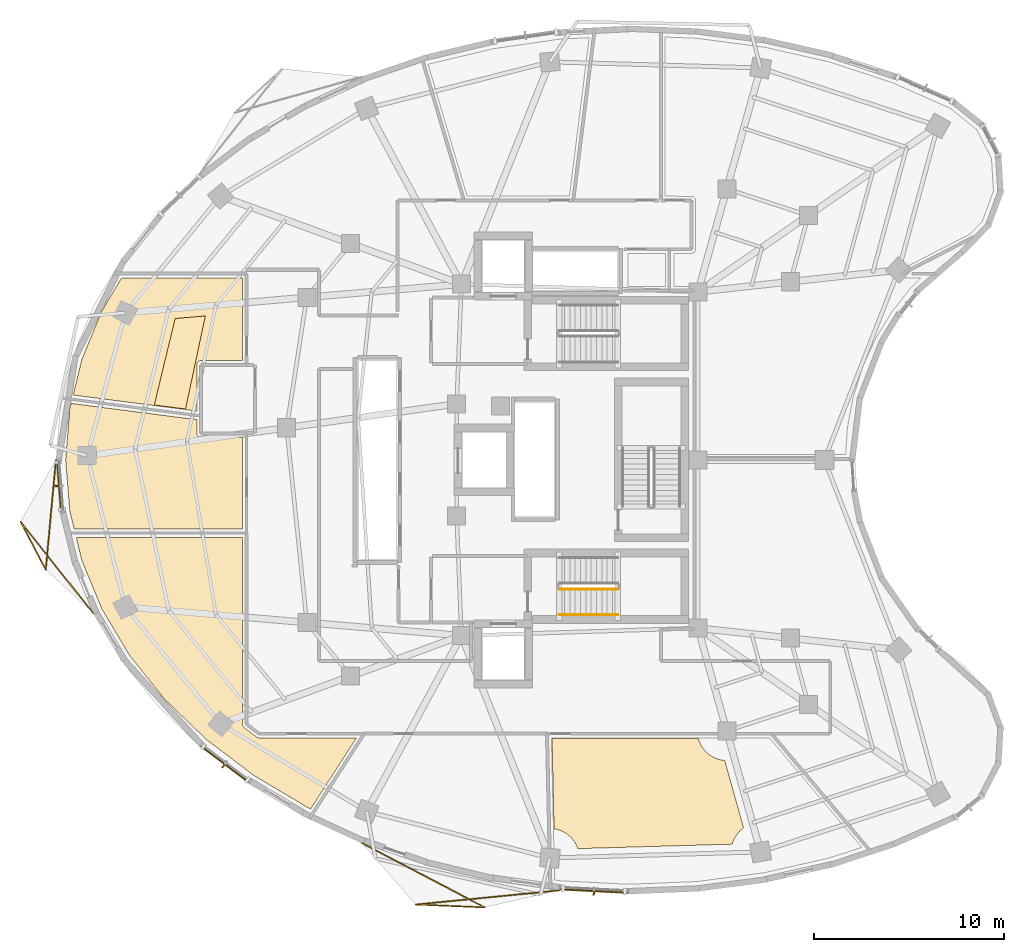
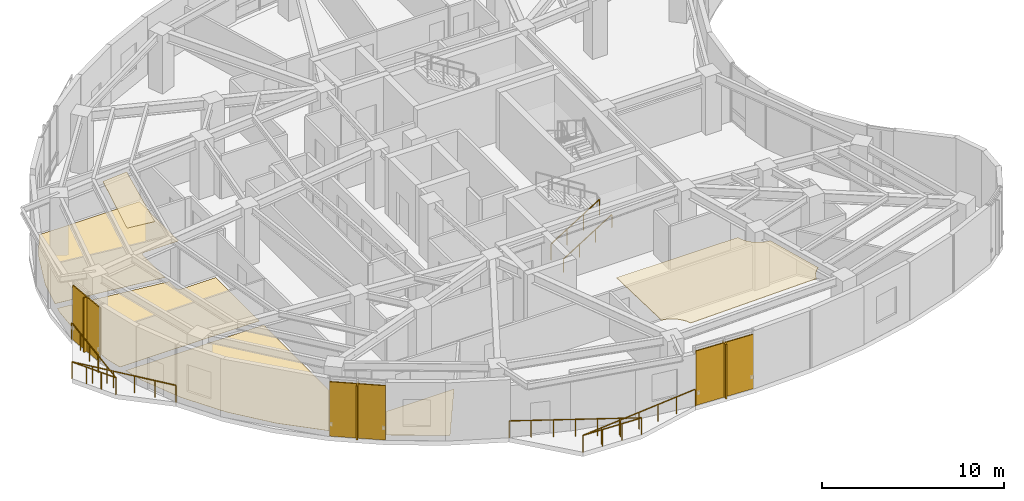
# One storey, part 13 of 15: 6 shading devices, 5 coverings, 4 railings.
"""IFC4 building model written with IfcOpenShell, lengths in metres."""

from ifc_helpers import new_model, si_unit, direction, frame, origin, origin_2d, place, context, subcontext, project, spatial, polyline, rectangle, outline, extrude, material, layer, layer_set, type_object, element, save


model = new_model("IFC4")

# Units and contexts
model_context = context("Model", 3, precision=1e-05, world=origin(), true_north=direction((0.0, 1.0)))
body_context = subcontext(model_context, "Body", "Model", "MODEL_VIEW")
ifc_project = project(units=[si_unit("LENGTHUNIT", "METRE"), si_unit("AREAUNIT", "SQUARE_METRE"), si_unit("VOLUMEUNIT", "CUBIC_METRE"), si_unit("PLANEANGLEUNIT", "RADIAN"), si_unit("MASSUNIT", "GRAM", prefix="KILO")], contexts=[model_context])

# Site, building, storey
site_placement = place(None, origin())
site = spatial("IfcSite", under=ifc_project, at=site_placement, CompositionType="ELEMENT")
building_placement = place(site_placement, origin())
building = spatial("IfcBuilding", under=site, at=building_placement, Name="Korentha Bioscience Tower", CompositionType="ELEMENT")
storey_placement = place(building_placement, frame((0.0, 0.0, 226.800048828125)))
storey = spatial("IfcBuildingStorey", under=building, at=storey_placement, Name="L52", CompositionType="ELEMENT", Elevation=226.800048828125)

# Railings
ifc_material_1 = material(Name="Stainless Steel 304", Category="steel")
railing_type_1 = type_object("IfcRailingType", Name="Brushed Stainless Stair Handrail 900", PredefinedType="HANDRAIL", material=ifc_material_1)
railing_1_placement = place(storey_placement, frame((30.25, 18.85009765625, 0.175048828125)))
element("IfcRailing", 1, at=railing_1_placement, inside=storey, type_object=railing_type_1, Name="L52 ST-2 stair handrail 1", PredefinedType="HANDRAIL", context=body_context, shape_type="SweptSolid", body=[
    extrude(rectangle(XDim=0.048095703125, YDim=0.048095703125, at=origin_2d()), frame((0.0, 0.0, 0.8759765625), z_axis=(0.848028513186, 0.0, 0.529950602248), x_axis=(0.0, 1.0, 0.0)), (0.0, 0.0, 1.0), 3.632080078125),
    extrude(rectangle(XDim=0.0419921875, YDim=0.0419921875, at=origin_2d()), origin(), (0.0, 0.0, 1.0), 0.851806640625),
    extrude(rectangle(XDim=0.0419921875, YDim=0.0419921875, at=origin_2d()), frame((1.026611328125, 0.0, 0.6416015625)), (0.0, 0.0, 1.0), 0.851806640625),
    extrude(rectangle(XDim=0.0419921875, YDim=0.0419921875, at=origin_2d()), frame((2.053466796875, 0.0, 1.283203125)), (0.0, 0.0, 1.0), 0.851806640625),
    extrude(rectangle(XDim=0.0419921875, YDim=0.0419921875, at=origin_2d()), frame((3.080078125, 0.0, 1.9248046875)), (0.0, 0.0, 1.0), 0.851806640625),
])
ifc_material_2 = material(Name="Laminated Tempered Safety Glass", Category="glass")
railing_type_2 = type_object("IfcRailingType", Name="Laminated Glass Balcony Guardrail 1150", PredefinedType="BALUSTRADE", material=ifc_material_2)
railing_2_placement = place(storey_placement, frame((3.757080078125, 27.0, 0.0)))
element("IfcRailing", 2, at=railing_2_placement, inside=storey, type_object=railing_type_2, Name="L52 Balcony Guardrail 02", PredefinedType="BALUSTRADE", context=body_context, shape_type="SweptSolid", body=[
    extrude(rectangle(XDim=0.048095703125, YDim=0.048095703125, at=origin_2d()), frame((0.0, 0.0, 1.1259765625), z_axis=(-0.092199754463, -0.995740531101, 0.0), x_axis=(0.995740531101, -0.092199754463, 0.0)), (0.0, 0.0, 1.0), 5.806884765625),
    extrude(rectangle(XDim=0.048095703125, YDim=0.048095703125, at=origin_2d()), frame((-0.535400390625, -5.7822265625, 1.1259765625), z_axis=(-0.465858793403, 0.88485907613, 0.0), x_axis=(-0.88485907613, -0.465858793403, 0.0)), (0.0, 0.0, 1.0), 2.865478515625),
    extrude(rectangle(XDim=0.048095703125, YDim=0.048095703125, at=origin_2d()), frame((-1.870361328125, -3.24658203125, 1.1259765625), z_axis=(0.621887872063, -0.783106298392, 0.0), x_axis=(0.783106298392, 0.621887872063, 0.0)), (0.0, 0.0, 1.0), 6.149658203125),
    extrude(rectangle(XDim=0.0419921875, YDim=0.0419921875, at=origin_2d()), origin(), (0.0, 0.0, 1.0), 1.101806640625),
    extrude(rectangle(XDim=0.0419921875, YDim=0.0419921875, at=origin_2d()), frame((-0.107177734375, -1.156494140625, 0.0)), (0.0, 0.0, 1.0), 1.101806640625),
    extrude(rectangle(XDim=0.0419921875, YDim=0.0419921875, at=origin_2d()), frame((-0.214111328125, -2.31298828125, 0.0)), (0.0, 0.0, 1.0), 1.101806640625),
    extrude(rectangle(XDim=0.0419921875, YDim=0.0419921875, at=origin_2d()), frame((-0.3212890625, -3.46923828125, 0.0)), (0.0, 0.0, 1.0), 1.101806640625),
    extrude(rectangle(XDim=0.0419921875, YDim=0.0419921875, at=origin_2d()), frame((-0.42822265625, -4.625732421875, 0.0)), (0.0, 0.0, 1.0), 1.101806640625),
    extrude(rectangle(XDim=0.0419921875, YDim=0.0419921875, at=origin_2d()), frame((-0.535400390625, -5.7822265625, 0.0)), (0.0, 0.0, 1.0), 1.101806640625),
    extrude(rectangle(XDim=0.0419921875, YDim=0.0419921875, at=origin_2d()), frame((-0.98046875, -4.93701171875, 0.0)), (0.0, 0.0, 1.0), 1.101806640625),
    extrude(rectangle(XDim=0.0419921875, YDim=0.0419921875, at=origin_2d()), frame((-1.42529296875, -4.091796875, 0.0)), (0.0, 0.0, 1.0), 1.101806640625),
    extrude(rectangle(XDim=0.0419921875, YDim=0.0419921875, at=origin_2d()), frame((-1.870361328125, -3.24658203125, 0.0)), (0.0, 0.0, 1.0), 1.101806640625),
    extrude(rectangle(XDim=0.0419921875, YDim=0.0419921875, at=origin_2d()), frame((-1.10546875, -4.209716796875, 0.0)), (0.0, 0.0, 1.0), 1.101806640625),
    extrude(rectangle(XDim=0.0419921875, YDim=0.0419921875, at=origin_2d()), frame((-0.340576171875, -5.1728515625, 0.0)), (0.0, 0.0, 1.0), 1.101806640625),
    extrude(rectangle(XDim=0.0419921875, YDim=0.0419921875, at=origin_2d()), frame((0.42431640625, -6.13623046875, 0.0)), (0.0, 0.0, 1.0), 1.101806640625),
    extrude(rectangle(XDim=0.0419921875, YDim=0.0419921875, at=origin_2d()), frame((1.189208984375, -7.099365234375, 0.0)), (0.0, 0.0, 1.0), 1.101806640625),
    extrude(rectangle(XDim=0.0419921875, YDim=0.0419921875, at=origin_2d()), frame((1.9541015625, -8.0625, 0.0)), (0.0, 0.0, 1.0), 1.101806640625),
])
railing_3_placement = place(storey_placement, frame((19.86865234375, 6.8291015625, 0.0)))
element("IfcRailing", 3, at=railing_3_placement, inside=storey, type_object=railing_type_2, Name="L52 Balcony Guardrail 03", PredefinedType="BALUSTRADE", context=body_context, shape_type="SweptSolid", body=[
    extrude(rectangle(XDim=0.048095703125, YDim=0.048095703125, at=origin_2d()), frame((0.0, 0.0, 1.1259765625), z_axis=(0.885781064079, -0.464103336035, 0.0), x_axis=(0.464103336035, 0.885781064079, 0.0)), (0.0, 0.0, 1.0), 7.291015625),
    extrude(rectangle(XDim=0.048095703125, YDim=0.048095703125, at=origin_2d()), frame((6.458251953125, -3.3837890625, 1.1259765625), z_axis=(-0.999125274011, 0.041817303037, 0.0), x_axis=(-0.041817303037, -0.999125274011, 0.0)), (0.0, 0.0, 1.0), 3.64306640625),
    extrude(rectangle(XDim=0.048095703125, YDim=0.048095703125, at=origin_2d()), frame((2.818359375, -3.2314453125, 1.1259765625), z_axis=(0.995190892674, 0.097954515665, 0.0), x_axis=(-0.097954515665, 0.995190892674, 0.0)), (0.0, 0.0, 1.0), 7.599365234375),
    extrude(rectangle(XDim=0.0419921875, YDim=0.0419921875, at=origin_2d()), origin(), (0.0, 0.0, 1.0), 1.101806640625),
    extrude(rectangle(XDim=0.0419921875, YDim=0.0419921875, at=origin_2d()), frame((1.076416015625, -0.56396484375, 0.0)), (0.0, 0.0, 1.0), 1.101806640625),
    extrude(rectangle(XDim=0.0419921875, YDim=0.0419921875, at=origin_2d()), frame((2.15283203125, -1.1279296875, 0.0)), (0.0, 0.0, 1.0), 1.101806640625),
    extrude(rectangle(XDim=0.0419921875, YDim=0.0419921875, at=origin_2d()), frame((3.22900390625, -1.69189453125, 0.0)), (0.0, 0.0, 1.0), 1.101806640625),
    extrude(rectangle(XDim=0.0419921875, YDim=0.0419921875, at=origin_2d()), frame((4.305419921875, -2.255859375, 0.0)), (0.0, 0.0, 1.0), 1.101806640625),
    extrude(rectangle(XDim=0.0419921875, YDim=0.0419921875, at=origin_2d()), frame((5.3818359375, -2.81982421875, 0.0)), (0.0, 0.0, 1.0), 1.101806640625),
    extrude(rectangle(XDim=0.0419921875, YDim=0.0419921875, at=origin_2d()), frame((6.458251953125, -3.3837890625, 0.0)), (0.0, 0.0, 1.0), 1.101806640625),
    extrude(rectangle(XDim=0.0419921875, YDim=0.0419921875, at=origin_2d()), frame((5.244873046875, -3.3330078125, 0.0)), (0.0, 0.0, 1.0), 1.101806640625),
    extrude(rectangle(XDim=0.0419921875, YDim=0.0419921875, at=origin_2d()), frame((4.03173828125, -3.2822265625, 0.0)), (0.0, 0.0, 1.0), 1.101806640625),
    extrude(rectangle(XDim=0.0419921875, YDim=0.0419921875, at=origin_2d()), frame((2.818359375, -3.2314453125, 0.0)), (0.0, 0.0, 1.0), 1.101806640625),
    extrude(rectangle(XDim=0.0419921875, YDim=0.0419921875, at=origin_2d()), frame((4.078857421875, -3.107421875, 0.0)), (0.0, 0.0, 1.0), 1.101806640625),
    extrude(rectangle(XDim=0.0419921875, YDim=0.0419921875, at=origin_2d()), frame((5.33935546875, -2.9833984375, 0.0)), (0.0, 0.0, 1.0), 1.101806640625),
    extrude(rectangle(XDim=0.0419921875, YDim=0.0419921875, at=origin_2d()), frame((6.599609375, -2.859375, 0.0)), (0.0, 0.0, 1.0), 1.101806640625),
    extrude(rectangle(XDim=0.0419921875, YDim=0.0419921875, at=origin_2d()), frame((7.860107421875, -2.735107421875, 0.0)), (0.0, 0.0, 1.0), 1.101806640625),
    extrude(rectangle(XDim=0.0419921875, YDim=0.0419921875, at=origin_2d()), frame((9.12060546875, -2.611083984375, 0.0)), (0.0, 0.0, 1.0), 1.101806640625),
    extrude(rectangle(XDim=0.0419921875, YDim=0.0419921875, at=origin_2d()), frame((10.381103515625, -2.487060546875, 0.0)), (0.0, 0.0, 1.0), 1.101806640625),
])

# Coverings
ifc_material_3 = material(Name="Antimicrobial Mineral Fibre Board", Category="gypsum")
ifc_layer_1 = layer(ifc_material_3, 0.034912109375, Name="Antimicrobial Mineral Fibre Board")
ifc_layer_set_1 = layer_set([ifc_layer_1], Name="Antimicrobial Mineral Fibre Board (CL-MF35)")
covering_type_1 = type_object("IfcCoveringType", Name="Mineral-Fibre Cleanroom Suspended Ceiling 35", PredefinedType="CEILING", material=ifc_layer_set_1)
covering_1_placement = place(storey_placement, frame((0.0, 0.0, 3.864990234375)))
element("IfcCovering", 4, at=covering_1_placement, inside=storey, type_object=covering_type_1, Name="L52 Sterile Media Preparation Kitchen 05 Acoustic Ceiling", PredefinedType="CEILING", context=body_context, shape_type="SweptSolid", body=[
    extrude(outline(polyline([(39.953125, 7.632568359375), (39.7509765625, 7.464111328125), (39.55810546875, 7.22900390625), (39.414794921875, 6.961181640625), (39.352783203125, 6.774658203125), (31.2275390625, 6.540771484375), (31.126220703125, 6.779541015625), (31.048095703125, 6.909912109375), (30.855224609375, 7.144775390625), (30.74267578125, 7.2470703125), (30.620361328125, 7.337646484375), (30.3525390625, 7.480712890625), (30.209228515625, 7.531982421875), (29.97412109375, 7.58203125), (29.8671875, 12.340087890625), (37.568359375, 12.340087890625), (37.634521484375, 12.13720703125), (37.77783203125, 11.869140625), (37.970703125, 11.63427734375), (38.083251953125, 11.531982421875), (38.20556640625, 11.44140625), (38.473388671875, 11.29833984375), (38.76416015625, 11.210205078125), (38.958984375, 11.185546875), (39.953125, 7.632568359375)])), origin(), (0.0, 0.0, 1.0), 0.034912109375),
])
covering_2_placement = place(storey_placement, frame((0.0, 0.0, 3.864990234375)))
element("IfcCovering", 5, at=covering_2_placement, inside=storey, type_object=covering_type_1, Name="L52 Neurobiology Electrophysiology Lab 11 Acoustic Ceiling", PredefinedType="CEILING", context=body_context, shape_type="SweptSolid", body=[
    extrude(outline(polyline([(10.031982421875, 34.443359375), (11.621337890625, 34.578857421875), (10.577880859375, 29.6796875), (8.932861328125, 29.892578125), (10.031982421875, 34.443359375)])), origin(), (0.0, 0.0, 1.0), 0.034912109375),
])

# Railing
ifc_material_4 = material(Name="Painted Steel S275", Category="steel")
railing_type_3 = type_object("IfcRailingType", Name="Painted Steel Stair Well Guardrail 1100", PredefinedType="GUARDRAIL", material=ifc_material_4)
railing_4_placement = place(storey_placement, frame((30.25, 20.199951171875, 0.175048828125)))
element("IfcRailing", 6, at=railing_4_placement, inside=storey, type_object=railing_type_3, Name="L52 ST-2 stair guard 1", PredefinedType="GUARDRAIL", context=body_context, shape_type="SweptSolid", body=[
    extrude(rectangle(XDim=0.048095703125, YDim=0.048095703125, at=origin_2d()), frame((0.0, 0.0, 1.076171875), z_axis=(0.848028513186, 0.0, 0.529950602248), x_axis=(0.0, 1.0, 0.0)), (0.0, 0.0, 1.0), 3.632080078125),
    extrude(rectangle(XDim=0.0419921875, YDim=0.0419921875, at=origin_2d()), origin(), (0.0, 0.0, 1.0), 1.052001953125),
    extrude(rectangle(XDim=0.0419921875, YDim=0.0419921875, at=origin_2d()), frame((1.026611328125, 0.0, 0.6416015625)), (0.0, 0.0, 1.0), 1.052001953125),
    extrude(rectangle(XDim=0.0419921875, YDim=0.0419921875, at=origin_2d()), frame((2.053466796875, 0.0, 1.283203125)), (0.0, 0.0, 1.0), 1.052001953125),
    extrude(rectangle(XDim=0.0419921875, YDim=0.0419921875, at=origin_2d()), frame((3.080078125, 0.0, 1.9248046875)), (0.0, 0.0, 1.0), 1.052001953125),
])

# Shading devices
ifc_material_5 = material(Name="Perforated Stone-Ceramic Composite", Category="masonry")
ifc_layer_2 = layer(ifc_material_5, 0.06494140625, Name="Perforated Stone-Ceramic Composite")
ifc_layer_set_2 = layer_set([ifc_layer_2], Name="Perforated Stone-Ceramic Composite (CS-01)")
shading_device_type_1 = type_object("IfcShadingDeviceType", Name="Perforated Stone-Ceramic Solar Screen Panel 65", PredefinedType="USERDEFINED", material=ifc_layer_set_2)
shading_device_1_placement = place(storey_placement, frame((3.926513671875, 25.634765625, 0.0), z_axis=(0.0, 0.0, 1.0), x_axis=(0.07974803224, -0.996815053736, 0.0)))
element("IfcShadingDevice", 7, at=shading_device_1_placement, inside=storey, type_object=shading_device_type_1, Name="CW-L52-19 Perforated Stone-Ceramic Solar Screen", ObjectType="SCREEN", PredefinedType="USERDEFINED", context=body_context, shape_type="SweptSolid", body=[
    extrude(rectangle(XDim=2.64892578125, YDim=0.06494140625, at=origin_2d()), origin(), (0.0, 0.0, 1.0), 3.64990234375),
])
shading_device_2_placement = place(storey_placement, frame((12.64404296875, 10.98583984375, 0.0), z_axis=(0.0, 0.0, 1.0), x_axis=(0.796889131105, -0.604125576951, 0.0)))
element("IfcShadingDevice", 8, at=shading_device_2_placement, inside=storey, type_object=shading_device_type_1, Name="CW-L52-25 Perforated Stone-Ceramic Solar Screen", ObjectType="SCREEN", PredefinedType="USERDEFINED", context=body_context, shape_type="SweptSolid", body=[
    extrude(rectangle(XDim=3.12548828125, YDim=0.06494140625, at=origin_2d()), origin(), (0.0, 0.0, 1.0), 3.64990234375),
])
shading_device_3_placement = place(storey_placement, frame((32.072998046875, 4.308837890625, 0.0), z_axis=(0.0, 0.0, 1.0), x_axis=(0.998695818107, -0.051055488397, 0.0)))
element("IfcShadingDevice", 9, at=shading_device_3_placement, inside=storey, type_object=shading_device_type_1, Name="CW-L52-31 Perforated Stone-Ceramic Solar Screen", ObjectType="SCREEN", PredefinedType="USERDEFINED", context=body_context, shape_type="SweptSolid", body=[
    extrude(rectangle(XDim=3.54541015625, YDim=0.06494140625, at=origin_2d()), origin(), (0.0, 0.0, 1.0), 3.64990234375),
])

# Coverings
ifc_material_6 = material(Name="Chemical-Resistant Epoxy Resin", Category="polymer")
ifc_layer_3 = layer(ifc_material_6, 0.011962890625, Name="Chemical-Resistant Epoxy Resin")
ifc_layer_set_3 = layer_set([ifc_layer_3], Name="Chemical-Resistant Epoxy Resin (FL-EPX)")
covering_type_2 = type_object("IfcCoveringType", Name="Seamless Epoxy Laboratory Flooring 12", PredefinedType="FLOORING", material=ifc_layer_set_3)
covering_3_placement = place(storey_placement, origin())
element("IfcCovering", 10, at=covering_3_placement, inside=storey, type_object=covering_type_2, Name="L52 Principal Investigator Office 01 Floor Finish", PredefinedType="FLOORING", context=body_context, shape_type="SweptSolid", body=[
    extrude(outline(polyline([(11.169921875, 29.119140625), (11.172607421875, 28.36572265625), (11.229248046875, 28.245849609375), (11.322021484375, 28.18359375), (11.39990234375, 28.169921875), (13.570068359375, 28.169921875), (13.570068359375, 23.3720703125), (4.71630859375, 23.3720703125), (4.4814453125, 24.3408203125), (4.2685546875, 27.0), (4.4814453125, 29.6591796875), (4.557861328125, 29.974609375), (11.169921875, 29.119140625)])), origin(), (0.0, 0.0, 1.0), 0.011962890625),
])
covering_4_placement = place(storey_placement, origin())
element("IfcCovering", 11, at=covering_4_placement, inside=storey, type_object=covering_type_2, Name="L52 Staff Pantry Kitchenette 03 Floor Finish", PredefinedType="FLOORING", context=body_context, shape_type="SweptSolid", body=[
    extrude(outline(polyline([(9.45947265625, 14.422607421875), (7.622314453125, 16.72265625), (6.168701171875, 19.166015625), (5.1171875, 21.717529296875), (4.8251953125, 22.922119140625), (13.570068359375, 22.922119140625), (13.570068359375, 13.09619140625), (13.605224609375, 12.9736328125), (13.6611328125, 12.912841796875), (14.3154296875, 12.416748046875), (14.423095703125, 12.372314453125), (19.5771484375, 12.3701171875), (17.16650390625, 8.633544921875), (16.992919921875, 8.71337890625), (14.17822265625, 10.387451171875), (11.655029296875, 12.30029296875), (9.45947265625, 14.422607421875)])), origin(), (0.0, 0.0, 1.0), 0.011962890625),
])
covering_5_placement = place(storey_placement, origin())
element("IfcCovering", 12, at=covering_5_placement, inside=storey, type_object=covering_type_2, Name="L52 Neurobiology Electrophysiology Lab 11 Floor Finish", PredefinedType="FLOORING", context=body_context, shape_type="SweptSolid", body=[
    extrude(outline(polyline([(7.20263671875, 36.572021484375), (13.570068359375, 36.572021484375), (13.570068359375, 32.22998046875), (11.38916015625, 32.229736328125), (11.302001953125, 32.2080078125), (11.229248046875, 32.154052734375), (11.18359375, 32.077880859375), (11.169921875, 32.0), (11.169921875, 29.57275390625), (4.664306640625, 30.414306640625), (5.1171875, 32.282470703125), (6.168701171875, 34.833740234375), (7.20263671875, 36.572021484375)])), origin(), (0.0, 0.0, 1.0), 0.011962890625),
])

# Shading devices
ifc_material_7 = material(Name="Honed Travertine Limestone", Category="masonry")
ifc_layer_4 = layer(ifc_material_7, 0.080078125, Name="Honed Travertine Limestone")
ifc_layer_set_4 = layer_set([ifc_layer_4], Name="Honed Travertine Limestone (CS-02)")
shading_device_type_2 = type_object("IfcShadingDeviceType", Name="Vertical Honed Limestone Sunshade Fin 80x420", PredefinedType="USERDEFINED", material=ifc_layer_set_4)
for number, where, z_axis, x_axis, name in (
    (13, (3.906494140625, 25.63330078125, 0.0), (0.0, 0.0, 1.0), (0.07974803224, -0.996815053736, 0.0), "CW-L52-19 Limestone Sunshade Fin"),
    (14, (12.6318359375, 10.969970703125, 0.0), (0.0, 0.0, 1.0), (0.796889131105, -0.604125576951, 0.0), "CW-L52-25 Limestone Sunshade Fin"),
    (15, (32.072021484375, 4.2890625, 0.0), (0.0, 0.0, 1.0), (0.998695818107, -0.051055488397, 0.0), "CW-L52-31 Limestone Sunshade Fin"),
):
    element("IfcShadingDevice", number, at=place(storey_placement, frame(where, z_axis=z_axis, x_axis=x_axis)), inside=storey, type_object=shading_device_type_2, Name=name, ObjectType="SCREEN", PredefinedType="USERDEFINED", context=body_context, shape_type="SweptSolid", body=[
        extrude(rectangle(XDim=0.080078125, YDim=0.419921875, at=origin_2d()), origin(), (0.0, 0.0, 1.0), 3.64990234375),
    ])

save(model, "model.ifc")
